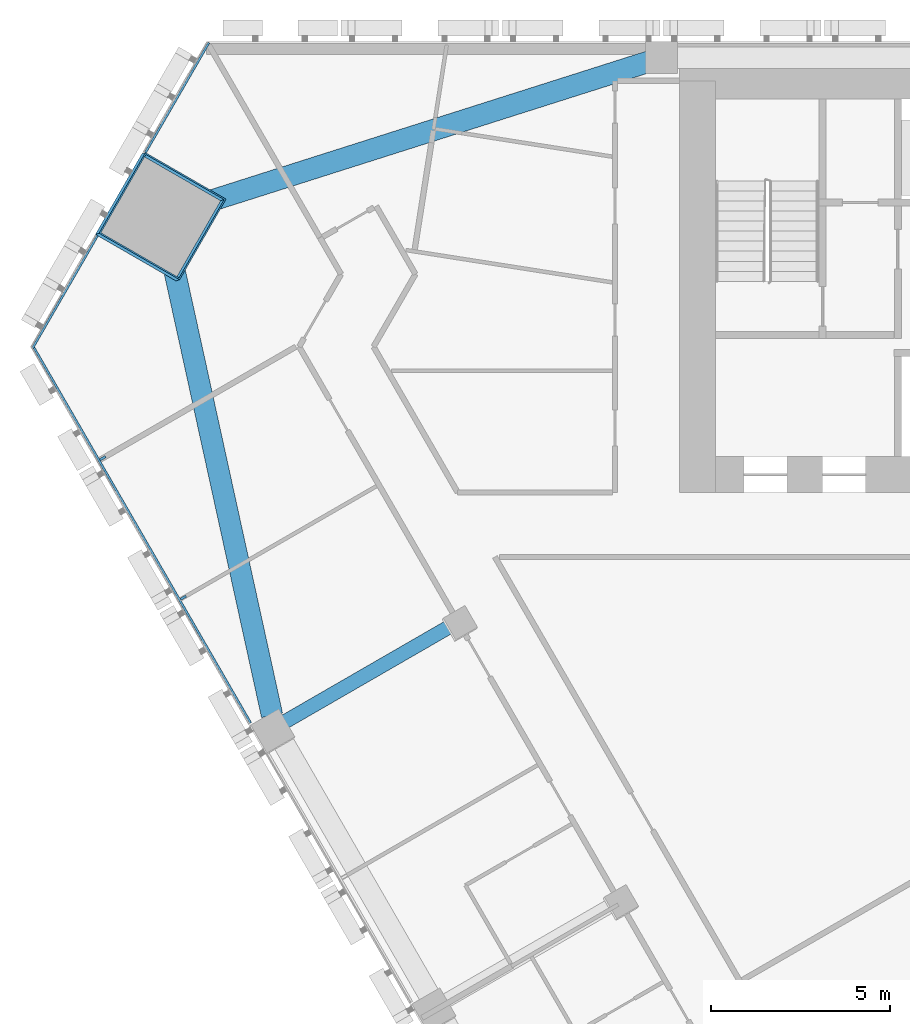
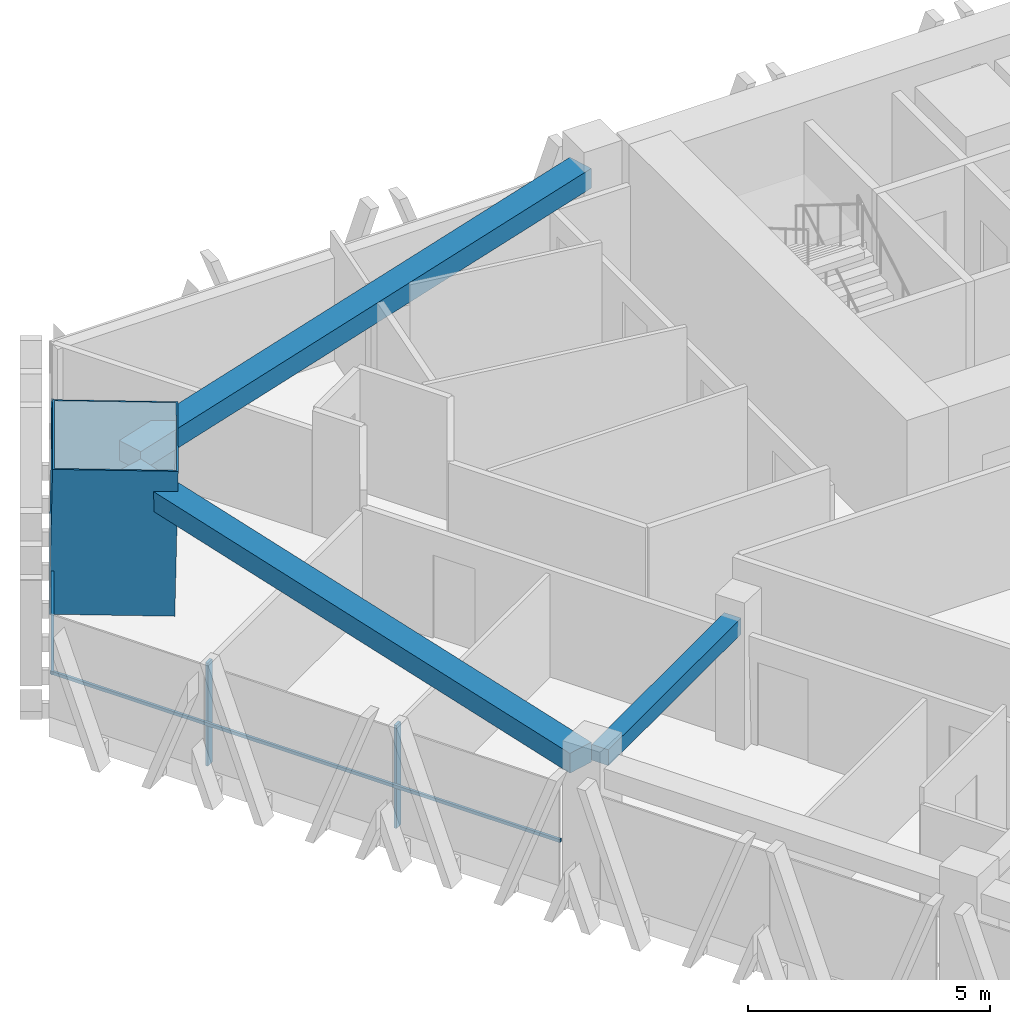
# One storey, part 6 of 18: 6 members, 3 beams, 2 elements without a shape of their own.
"""IFC4 building model written with IfcOpenShell, lengths in metres."""

from ifc_helpers import new_model, si_unit, direction, frame, origin, origin_2d, place, context, subcontext, project, spatial, rectangle, hollow_rectangle, extrude, material, layer, layer_set, material_profile, profile_set, type_object, element, aggregate, save


model = new_model("IFC4")

# Units and contexts
model_context = context("Model", 3, precision=1e-05, world=origin(), true_north=direction((0.0, 1.0)))
body_context = subcontext(model_context, "Body", "Model", "MODEL_VIEW")
ifc_project = project(units=[si_unit("LENGTHUNIT", "METRE"), si_unit("AREAUNIT", "SQUARE_METRE"), si_unit("VOLUMEUNIT", "CUBIC_METRE"), si_unit("PLANEANGLEUNIT", "RADIAN"), si_unit("MASSUNIT", "GRAM", prefix="KILO")], contexts=[model_context])

# Site, building, storey
site_placement = place(None, origin())
site = spatial("IfcSite", under=ifc_project, at=site_placement, CompositionType="ELEMENT")
building_placement = place(site_placement, origin())
building = spatial("IfcBuilding", under=site, at=building_placement, Name="Altiplano Prism Tower", CompositionType="ELEMENT")
storey_placement = place(building_placement, frame((0.0, 0.0, 34.199951171875)))
storey = spatial("IfcBuildingStorey", under=building, at=storey_placement, Name="L07", CompositionType="ELEMENT", Elevation=34.199951171875)

# Curtain wall, members
ifc_material_1 = material(Name="Aluminium and glass", Category="aluminium")
ifc_layer = layer(ifc_material_1, 0.280029296875)
ifc_layer_set = layer_set([ifc_layer], Name="Aluminium and glass")
curtain_wall_type = type_object("IfcCurtainWallType", Name="CW1 typical co-living unitised curtain wall", PredefinedType="NOTDEFINED", material=ifc_layer_set)
curtain_wall_1_placement = place(storey_placement, origin())
curtain_wall_1 = element("IfcCurtainWall", 1, at=curtain_wall_1_placement, inside=storey, type_object=curtain_wall_type, Name="CW1 curtain wall south-west face L07", PredefinedType="NOTDEFINED")
ifc_material_2 = material(Name="Aluminium", Category="aluminium")
ifc_material_profile_1 = material_profile(ifc_material_2, rectangle(XDim=0.179931640625, YDim=0.06494140625, at=origin_2d()), Name="CW1 mullion 65 x 180")
ifc_profile_set_1 = profile_set([ifc_material_profile_1], Name="Aluminium")
member_type_1 = type_object("IfcMemberType", Name="CW1 mullion 65 x 180", PredefinedType="MULLION", material=ifc_profile_set_1)
member_1_placement = place(storey_placement, frame((55.887939453125, 93.357666015625, 0.0), z_axis=(0.0, 0.0, 1.0), x_axis=(0.866025410216, 0.49999998886, 0.0)))
member_1 = element("IfcMember", 2, at=member_1_placement, type_object=member_type_1, Name="CW1 mullion", PredefinedType="MULLION", context=body_context, shape_type="SweptSolid", body=[
    extrude(rectangle(XDim=0.179931640625, YDim=0.06494140625, at=origin_2d()), origin(), (0.0, 0.0, 1.0), 2.60009765625),
])
member_2_placement = place(storey_placement, frame((58.137939453125, 89.46044921875, 0.0), z_axis=(0.0, 0.0, 1.0), x_axis=(0.866025410216, 0.49999998886, 0.0)))
member_2 = element("IfcMember", 3, at=member_2_placement, type_object=member_type_1, Name="CW1 mullion", PredefinedType="MULLION", context=body_context, shape_type="SweptSolid", body=[
    extrude(rectangle(XDim=0.179931640625, YDim=0.06494140625, at=origin_2d()), origin(), (0.0, 0.0, 1.0), 2.60009765625),
])

curtain_wall_2_placement = place(storey_placement, origin())
curtain_wall_2 = element("IfcCurtainWall", 4, at=curtain_wall_2_placement, inside=storey, type_object=curtain_wall_type, Name="CW1 curtain wall north-west chamfer L07", PredefinedType="NOTDEFINED")
ifc_material_profile_2 = material_profile(ifc_material_2, rectangle(XDim=0.06005859375, YDim=0.080078125, at=origin_2d()), Name="CW1 transom 80 x 60")
ifc_profile_set_2 = profile_set([ifc_material_profile_2], Name="Aluminium")
member_type_2 = type_object("IfcMemberType", Name="CW1 transom 80 x 60", PredefinedType="USERDEFINED", material=ifc_profile_set_2)
member_3_placement = place(storey_placement, frame((58.853515625, 104.965087890625, 1.10009765625), z_axis=(-0.49999285859, -0.86602952684, 0.0), x_axis=(0.86602952684, -0.49999285859, 0.0)))
member_3 = element("IfcMember", 5, at=member_3_placement, type_object=member_type_2, Name="CW1 transom", ObjectType="TRANSOM", PredefinedType="USERDEFINED", context=body_context, shape_type="SweptSolid", body=[
    extrude(rectangle(XDim=0.06005859375, YDim=0.080078125, at=origin_2d()), origin(), (0.0, 0.0, 1.0), 3.54296875),
])
member_4_placement = place(storey_placement, frame((55.7421875, 99.57568359375, 1.10009765625), z_axis=(-0.499994660107, -0.866028486751, 0.0), x_axis=(0.866028486751, -0.499994660107, 0.0)))
member_4 = element("IfcMember", 6, at=member_4_placement, type_object=member_type_2, Name="CW1 transom", ObjectType="TRANSOM", PredefinedType="USERDEFINED", context=body_context, shape_type="SweptSolid", body=[
    extrude(rectangle(XDim=0.06005859375, YDim=0.080078125, at=origin_2d()), origin(), (0.0, 0.0, 1.0), 3.623046875),
])
aggregate(curtain_wall_2, [member_3, member_4])

# Member
member_5_placement = place(storey_placement, frame((53.9306640625, 96.508056640625, 1.10009765625), z_axis=(0.499987977232, -0.866032345022, 0.0), x_axis=(0.866032345022, 0.499987977232, 0.0)))
member_5 = element("IfcMember", 7, at=member_5_placement, type_object=member_type_2, Name="CW1 transom", ObjectType="TRANSOM", PredefinedType="USERDEFINED", context=body_context, shape_type="SweptSolid", body=[
    extrude(rectangle(XDim=0.06005859375, YDim=0.080078125, at=origin_2d()), origin(), (0.0, 0.0, 1.0), 12.177490234375),
])

aggregate(curtain_wall_1, [member_1, member_2, member_5])

# Beams
ifc_material_3 = material(Name="Concrete C60/75", Category="concrete")
ifc_material_profile_3 = material_profile(ifc_material_3, rectangle(XDim=0.60009765625, YDim=0.5, at=origin_2d()), Name="Edge beam 600x500")
ifc_profile_set_3 = profile_set([ifc_material_profile_3], Name="Concrete C60/75")
beam_type_1 = type_object("IfcBeamType", Name="Edge beam 600x500", PredefinedType="SPANDREL", material=ifc_profile_set_3)
for number, where, z_axis, x_axis, name in (
    (8, (71.164306640625, 104.443359375, 2.85009765625), (-0.953032634914, -0.30286762255, 0.0), (0.30286762255, -0.953032634914, 0.0), "Edge beam P04-M0 L08"),
    (9, (57.656005859375, 99.680419921875, 2.85009765625), (0.214220328879, -0.976785365725, 0.0), (0.976785365725, 0.214220328879, 0.0), "Edge beam M0-P11 L08"),
):
    element("IfcBeam", number, at=place(storey_placement, frame(where, z_axis=z_axis, x_axis=x_axis)), inside=storey, type_object=beam_type_1, Name=name, PredefinedType="SPANDREL", context=body_context, shape_type="SweptSolid", body=[
        extrude(rectangle(XDim=0.60009765625, YDim=0.5, at=origin_2d()), origin(), (0.0, 0.0, 1.0), 13.825439453125),
    ])

# Member
ifc_material_4 = material(Name="Steel S460", Category="steel")
ifc_material_profile_4 = material_profile(ifc_material_4, hollow_rectangle(XDim=2.60009765625, YDim=2.60009765625, WallThickness=0.0400390625, at=origin_2d()), Name="Mega column tube 2600")
ifc_profile_set_4 = profile_set([ifc_material_profile_4], Name="Steel S460")
member_type_3 = type_object("IfcMemberType", Name="Mega column tube 2600", PredefinedType="POST", material=ifc_profile_set_4)
member_6_placement = place(storey_placement, frame((57.457275390625, 100.08642578125, 0.0), z_axis=(0.028401796786, 0.009286506348, 0.999553449666), x_axis=(-0.8662019595, 0.499294710929, 0.019973907882)))
element("IfcMember", 10, at=member_6_placement, inside=storey, type_object=member_type_3, Name="Mega column tube M0 L07", PredefinedType="POST", context=body_context, shape_type="SweptSolid", body=[
    extrude(hollow_rectangle(XDim=2.60009765625, YDim=2.60009765625, WallThickness=0.0400390625, at=origin_2d()), origin(), (0.0, 0.0, 1.0), 3.601806640625),
])

# Beam
ifc_material_profile_5 = material_profile(ifc_material_3, rectangle(XDim=0.39990234375, YDim=0.39990234375, at=origin_2d()), Name="Tie beam 400x400")
ifc_profile_set_5 = profile_set([ifc_material_profile_5], Name="Concrete C60/75")
beam_type_2 = type_object("IfcBeamType", Name="Tie beam 400x400", PredefinedType="BEAM", material=ifc_profile_set_5)
beam_placement = place(storey_placement, frame((65.7333984375, 88.741943359375, 2.900146484375), z_axis=(-0.866031549307, -0.499989355492, 0.0), x_axis=(0.499989355492, -0.866031549307, 0.0)))
element("IfcBeam", 11, at=beam_placement, inside=storey, type_object=beam_type_2, Name="Tie beam I11 L08", PredefinedType="BEAM", context=body_context, shape_type="SweptSolid", body=[
    extrude(rectangle(XDim=0.39990234375, YDim=0.39990234375, at=origin_2d()), origin(), (0.0, 0.0, 1.0), 5.48974609375),
])

save(model, "model.ifc")
